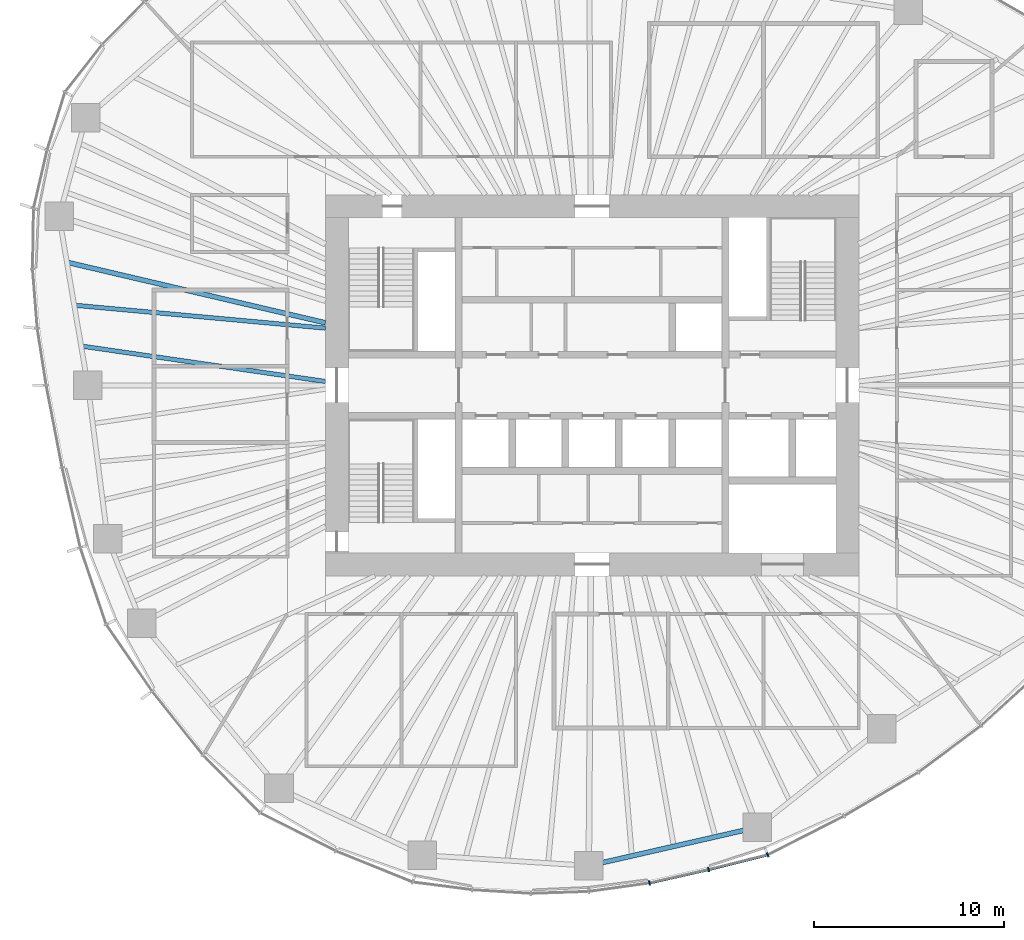
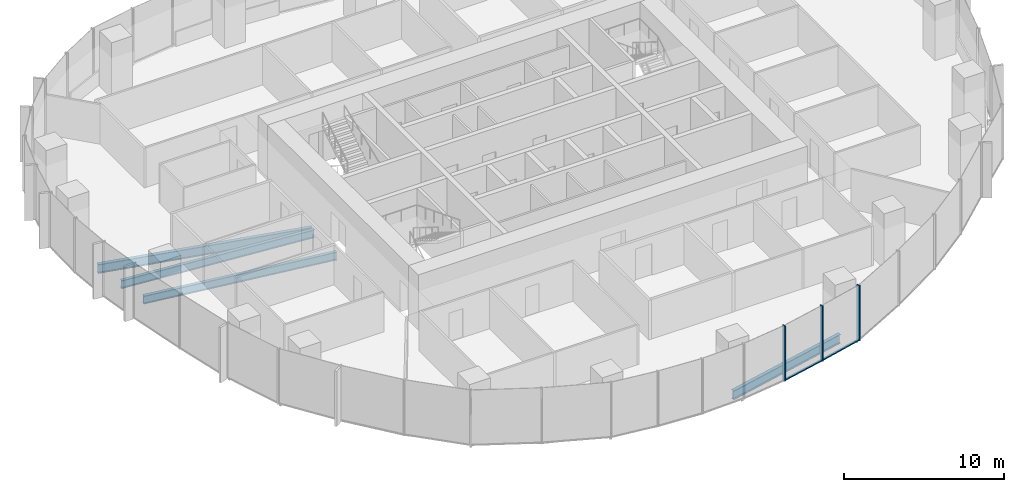
# One storey, part 3 of 18: 5 members, 4 beams, 2 elements without a shape of their own.
"""IFC4 building model written with IfcOpenShell, lengths in metres."""

from ifc_helpers import new_model, si_unit, direction, frame, origin, origin_2d, place, context, subcontext, project, spatial, rectangle, i_section, extrude, material, material_profile, profile_set, type_object, element, aggregate, save


model = new_model("IFC4")

# Units and contexts
model_context = context("Model", 3, precision=1e-05, world=origin(), true_north=direction((0.0, 1.0)))
body_context = subcontext(model_context, "Body", "Model", "MODEL_VIEW")
ifc_project = project(units=[si_unit("LENGTHUNIT", "METRE"), si_unit("AREAUNIT", "SQUARE_METRE"), si_unit("VOLUMEUNIT", "CUBIC_METRE"), si_unit("PLANEANGLEUNIT", "RADIAN"), si_unit("MASSUNIT", "GRAM", prefix="KILO")], contexts=[model_context])

# Site, building, storey
site_placement = place(None, origin())
site = spatial("IfcSite", under=ifc_project, at=site_placement, CompositionType="ELEMENT")
building_placement = place(site_placement, origin())
building = spatial("IfcBuilding", under=site, at=building_placement, Name="Ghaith Harvest Tower", CompositionType="ELEMENT")
storey_placement = place(building_placement, frame((0.0, 0.0, 130.199951171875)))
storey = spatial("IfcBuildingStorey", under=building, at=storey_placement, Name="L27", CompositionType="ELEMENT", Elevation=130.199951171875)

# Curtain wall, members
ifc_material_1 = material(Name="Black anodised aluminium and fritted glass", Category="aluminium")
curtain_wall_type = type_object("IfcCurtainWallType", Name="CW-L CURTAIN WALL", PredefinedType="NOTDEFINED", material=ifc_material_1)
curtain_wall_1_placement = place(storey_placement, origin())
curtain_wall_1 = element("IfcCurtainWall", 1, at=curtain_wall_1_placement, inside=storey, type_object=curtain_wall_type, Name="Curtain wall CW-L bay 16 L27", PredefinedType="NOTDEFINED")
ifc_material_2 = material(Name="Aluminium, black anodised", Category="aluminium")
ifc_material_profile_1 = material_profile(ifc_material_2, rectangle(XDim=0.080078125, YDim=0.239990234375, at=origin_2d()), Name="CW-L MULLION 80x240")
ifc_profile_set_1 = profile_set([ifc_material_profile_1], Name="Aluminium, black anodised")
member_type_1 = type_object("IfcMemberType", Name="CW-L MULLION 80x240", PredefinedType="MULLION", material=ifc_profile_set_1)
member_1_placement = place(storey_placement, frame((3.010009765625, -26.12939453125, 0.0), z_axis=(0.0, 0.0, 1.0), x_axis=(0.983806317978, 0.179234842337, 0.0)))
member_1 = element("IfcMember", 2, at=member_1_placement, type_object=member_type_1, Name="CW-L mullion 2 bay 16 L27", PredefinedType="MULLION", context=body_context, shape_type="SweptSolid", body=[
    extrude(rectangle(XDim=0.080078125, YDim=0.239990234375, at=origin_2d()), origin(), (0.0, 0.0, 1.0), 4.199951171875),
])
member_2_placement = place(storey_placement, frame((6.1201171875, -25.425537109375, 0.0), z_axis=(0.0, 0.0, 1.0), x_axis=(0.972918144681, 0.231149916179, 0.0)))
member_2 = element("IfcMember", 3, at=member_2_placement, type_object=member_type_1, Name="CW-L mullion 3 bay 16 L27", PredefinedType="MULLION", context=body_context, shape_type="SweptSolid", body=[
    extrude(rectangle(XDim=0.080078125, YDim=0.239990234375, at=origin_2d()), origin(), (0.0, 0.0, 1.0), 4.199951171875),
])

# Curtain wall, member
curtain_wall_2_placement = place(storey_placement, origin())
curtain_wall_2 = element("IfcCurtainWall", 4, at=curtain_wall_2_placement, inside=storey, type_object=curtain_wall_type, Name="Curtain wall CW-L bay 17 L27", PredefinedType="NOTDEFINED")
member_3_placement = place(storey_placement, frame((9.216796875, -24.654541015625, 0.0), z_axis=(0.0, 0.0, 1.0), x_axis=(0.929831847154, 0.367984695358, 0.0)))
member_3 = element("IfcMember", 5, at=member_3_placement, type_object=member_type_1, Name="CW-L mullion 1 bay 17 L27", PredefinedType="MULLION", context=body_context, shape_type="SweptSolid", body=[
    extrude(rectangle(XDim=0.080078125, YDim=0.239990234375, at=origin_2d()), origin(), (0.0, 0.0, 1.0), 4.199951171875),
])
aggregate(curtain_wall_2, [member_3])

# Member
ifc_material_3 = material(Name="Aluminium, black anodised", Category="aluminium")
ifc_material_profile_2 = material_profile(ifc_material_3, rectangle(XDim=0.14990234375, YDim=0.080078125, at=origin_2d()), Name="CW-L TRANSOM 150x80")
ifc_profile_set_2 = profile_set([ifc_material_profile_2], Name="Aluminium, black anodised")
member_type_2 = type_object("IfcMemberType", Name="CW-L TRANSOM 150x80", PredefinedType="USERDEFINED", material=ifc_profile_set_2)
member_4_placement = place(storey_placement, frame((3.048828125, -26.120361328125, 0.0400390625), z_axis=(0.975352213651, 0.22065370907, 0.0), x_axis=(-0.22065370907, 0.975352213651, 0.0)))
member_4 = element("IfcMember", 6, at=member_4_placement, type_object=member_type_2, Name="CW-L transom 2 bay 16 L27", ObjectType="TRANSOM", PredefinedType="USERDEFINED", context=body_context, shape_type="SweptSolid", body=[
    extrude(rectangle(XDim=0.14990234375, YDim=0.080078125, at=origin_2d()), origin(), (0.0, 0.0, 1.0), 3.109130859375),
])

member_5_placement = place(storey_placement, frame((6.158935546875, -25.415771484375, 0.0400390625), z_axis=(0.97039125345, 0.241538434265, 0.0), x_axis=(-0.241538434265, 0.97039125345, 0.0)))
member_5 = element("IfcMember", 7, at=member_5_placement, type_object=member_type_2, Name="CW-L transom 3 bay 16 L27", ObjectType="TRANSOM", PredefinedType="USERDEFINED", context=body_context, shape_type="SweptSolid", body=[
    extrude(rectangle(XDim=0.14990234375, YDim=0.080078125, at=origin_2d()), origin(), (0.0, 0.0, 1.0), 3.111083984375),
])

aggregate(curtain_wall_1, [member_1, member_4, member_2, member_5])

# Beams
ifc_material_4 = material(Name="Steel ASTM A992 Grade 50", Category="steel")
ifc_material_profile_3 = material_profile(ifc_material_4, i_section(OverallWidth=0.25390625, OverallDepth=0.68408203125, WebThickness=0.012451171875, FlangeThickness=0.018798828125, at=origin_2d()), Name="W690X140")
ifc_profile_set_3 = profile_set([ifc_material_profile_3], Name="Steel ASTM A992 Grade 50")
beam_type_1 = type_object("IfcBeamType", Name="E690-140 W690X140", PredefinedType="SPANDREL", material=ifc_profile_set_3)
beam_1_placement = place(storey_placement, frame((-0.173095703125, -25.22412109375, -0.511962890625), z_axis=(0.974881709383, 0.22272326486, 0.0), x_axis=(-0.22272326486, 0.974881709383, 0.0)))
element("IfcBeam", 8, at=beam_1_placement, inside=storey, type_object=beam_type_1, Name="Edge beam E16 L27", PredefinedType="SPANDREL", context=body_context, shape_type="SweptSolid", body=[
    extrude(i_section(OverallWidth=0.25390625, OverallDepth=0.68408203125, WebThickness=0.012451171875, FlangeThickness=0.018798828125, at=origin_2d()), origin(), (0.0, 0.0, 1.0), 9.0751953125),
])
ifc_material_5 = material(Name="Steel ASTM A992 Grade 50", Category="steel")
ifc_material_profile_4 = material_profile(ifc_material_5, i_section(OverallWidth=0.22900390625, OverallDepth=0.612060546875, WebThickness=0.011962890625, FlangeThickness=0.01953125, at=origin_2d()), Name="W610X125")
ifc_profile_set_4 = profile_set([ifc_material_profile_4], Name="Steel ASTM A992 Grade 50")
beam_type_2 = type_object("IfcBeamType", Name="J610-125 W610X125", PredefinedType="JOIST", material=ifc_profile_set_4)
beam_2_placement = place(storey_placement, frame((-14.0, 3.0, -0.475830078125), z_axis=(-0.995849123151, 0.091019360137, 0.0), x_axis=(-0.091019360137, -0.995849123151, 0.0)))
element("IfcBeam", 9, at=beam_2_placement, inside=storey, type_object=beam_type_2, Name="Joist J10.2 L27", PredefinedType="JOIST", context=body_context, shape_type="SweptSolid", body=[
    extrude(i_section(OverallWidth=0.22900390625, OverallDepth=0.612060546875, WebThickness=0.011962890625, FlangeThickness=0.01953125, at=origin_2d()), origin(), (0.0, 0.0, 1.0), 13.2451171875),
])
beam_3_placement = place(storey_placement, frame((-14.0, 0.199951171875, -0.475830078125), z_axis=(-0.989622120656, 0.143694322465, 0.0), x_axis=(-0.143694322465, -0.989622120656, 0.0)))
element("IfcBeam", 10, at=beam_3_placement, inside=storey, type_object=beam_type_2, Name="Joist J10.3 L27", PredefinedType="JOIST", context=body_context, shape_type="SweptSolid", body=[
    extrude(i_section(OverallWidth=0.22900390625, OverallDepth=0.612060546875, WebThickness=0.011962890625, FlangeThickness=0.01953125, at=origin_2d()), origin(), (0.0, 0.0, 1.0), 12.960205078125),
])
ifc_material_6 = material(Name="Steel ASTM A992 Grade 50", Category="steel")
ifc_material_profile_5 = material_profile(ifc_material_6, i_section(OverallWidth=0.25390625, OverallDepth=0.68408203125, WebThickness=0.012451171875, FlangeThickness=0.018798828125, at=origin_2d()), Name="W690X140")
ifc_profile_set_5 = profile_set([ifc_material_profile_5], Name="Steel ASTM A992 Grade 50")
beam_type_3 = type_object("IfcBeamType", Name="J690-140 W690X140", PredefinedType="JOIST", material=ifc_profile_set_5)
beam_4_placement = place(storey_placement, frame((-14.0, 3.280517578125, -0.511962890625), z_axis=(-0.973623240284, 0.228161753978, 0.0), x_axis=(-0.228161753978, -0.973623240284, 0.0)))
element("IfcBeam", 11, at=beam_4_placement, inside=storey, type_object=beam_type_3, Name="Joist J10.1 L27", PredefinedType="JOIST", context=body_context, shape_type="SweptSolid", body=[
    extrude(i_section(OverallWidth=0.25390625, OverallDepth=0.68408203125, WebThickness=0.012451171875, FlangeThickness=0.018798828125, at=origin_2d()), origin(), (0.0, 0.0, 1.0), 13.94140625),
])

save(model, "model.ifc")
